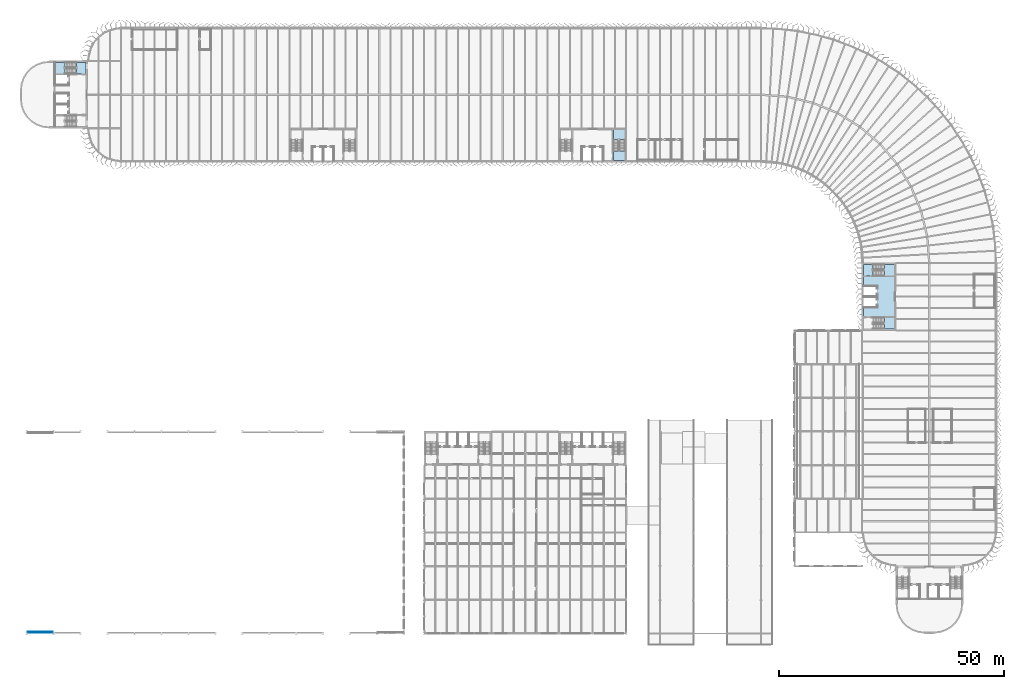
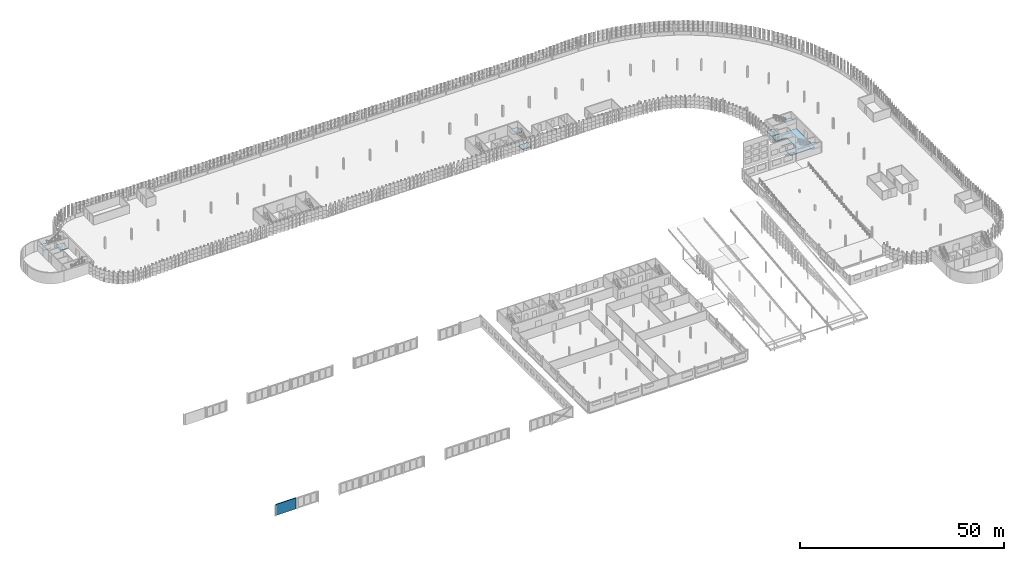
# One storey, part 49 of 199: 8 slabs, 1 wall, 4 elements without a shape of their own.
"""IFC4 building model written with IfcOpenShell, lengths in metres."""

import ifcopenshell
import ifcopenshell.guid

model = None  # the IFC model being written
_history = None  # IfcOwnerHistory: only IFC2X3 demands one
_inside = {}  # id of a spatial element -> (the spatial element, [elements in it])
_under = {}  # id of a project, library or spatial element -> (it, [spatial elements below it])
_declared = {}  # id of a project -> (the project, [libraries it declares])
_typed = {}  # id of a type object -> (the type object, [elements of that type])
_made_of = {}  # id of a material, layer set ... -> (it, [elements and type objects made of it])


def new_model(schema):
    """Start an empty IFC model of exactly this schema.

    Asked for "IFC4X3", IfcOpenShell would pick the latest addendum, in which some entities
    have other attributes; the version numbers below select the first issue.
    IFC2X3 requires an IfcOwnerHistory on every rooted entity: one is made here for all.
    """
    global model, _history
    if schema == "IFC4X3":
        model = ifcopenshell.file(schema_version=(4, 3, 0, 0))
    else:
        model = ifcopenshell.file(schema=schema)
    _inside.clear()
    _under.clear()
    _declared.clear()
    _typed.clear()
    _made_of.clear()
    _history = None
    if model.schema == "IFC2X3":
        org = make("IfcOrganization", Name="unknown")
        user = make(
            "IfcPersonAndOrganization",
            ThePerson=make("IfcPerson", FamilyName="unknown"),
            TheOrganization=org,
        )
        app = make(
            "IfcApplication",
            ApplicationDeveloper=org,
            Version="unknown",
            ApplicationFullName="unknown",
            ApplicationIdentifier="unknown",
        )
        _history = make(
            "IfcOwnerHistory",
            OwningUser=user,
            OwningApplication=app,
            ChangeAction="ADDED",
            CreationDate=0,
        )
    return model


def make(cls, **values):
    """One entity of the class cls with the attributes given. An attribute that is None is left unset."""
    return model.create_entity(
        cls, **{name: value for name, value in values.items() if value is not None}
    )


def rooted(cls, **values):
    """An entity with a GlobalId (a new one), such as an element, a storey or a relation."""
    return make(cls, GlobalId=ifcopenshell.guid.new(), OwnerHistory=_history, **values)


def si_unit(unit_type, name, prefix=None):
    """IfcSIUnit, for example si_unit("LENGTHUNIT", "METRE", prefix="MILLI")."""
    return make("IfcSIUnit", UnitType=unit_type, Prefix=prefix, Name=name)


def assignment(units):
    """IfcUnitAssignment: the units of a project."""
    return None if units is None else make("IfcUnitAssignment", Units=units)


def point(xyz):
    """IfcCartesianPoint."""
    return None if xyz is None else make("IfcCartesianPoint", Coordinates=xyz)


def direction(xyz):
    """IfcDirection."""
    return None if xyz is None else make("IfcDirection", DirectionRatios=xyz)


def frame(location, z_axis=None, x_axis=None):
    """IfcAxis2Placement3D, a coordinate frame: its origin and axes. An axis left out is left unset."""
    return make(
        "IfcAxis2Placement3D",
        Location=point(location),
        Axis=direction(z_axis),
        RefDirection=direction(x_axis),
    )


def frame_2d(location, x_axis=None):
    """IfcAxis2Placement2D, a coordinate frame in the plane: its origin and x axis."""
    return make(
        "IfcAxis2Placement2D", Location=point(location), RefDirection=direction(x_axis)
    )


def origin():
    """The frame at (0, 0, 0) with its axes left unset."""
    return frame((0.0, 0.0, 0.0))


def place(relative_to, where):
    """IfcLocalPlacement: puts the frame where relative to a parent placement (None: the world)."""
    return make(
        "IfcLocalPlacement", PlacementRelTo=relative_to, RelativePlacement=where
    )


def context(
    kind, dimensions, precision=None, world=None, true_north=None, identifier=None
):
    """IfcGeometricRepresentationContext, for example the 3D "Model" context."""
    return make(
        "IfcGeometricRepresentationContext",
        ContextIdentifier=identifier,
        ContextType=kind,
        CoordinateSpaceDimension=dimensions,
        Precision=precision,
        WorldCoordinateSystem=world,
        TrueNorth=true_north,
    )


def subcontext(parent, identifier, kind, view, scale=None):
    """IfcGeometricRepresentationSubContext, for example "Body" below "Model"."""
    return make(
        "IfcGeometricRepresentationSubContext",
        ContextIdentifier=identifier,
        ContextType=kind,
        ParentContext=parent,
        TargetScale=scale,
        TargetView=view,
    )


def project(units=None, contexts=None):
    """IfcProject with its units and contexts."""
    return rooted(
        "IfcProject",
        Name="project",
        RepresentationContexts=contexts,
        UnitsInContext=assignment(units),
    )


def spatial(cls, under=None, at=None, **own):
    """A site, building, storey or space (cls), placed at a placement, below another one or the project."""
    s = rooted(cls, ObjectPlacement=at, **own)
    if under is not None:
        _under.setdefault(under.id(), (under, []))[1].append(s)
    return s


def polyline(points):
    """IfcPolyline through the points."""
    return make("IfcPolyline", Points=[point(p) for p in points])


def profile(cls, at=None, kind="AREA", **sizes):
    """A parametric profile (cls). Its sizes go by their IFC names, for example OverallWidth=200.0."""
    return make(cls, ProfileType=kind, Position=at, **sizes)


def rectangle(**sizes):
    """IfcRectangleProfileDef."""
    return profile("IfcRectangleProfileDef", **sizes)


def outline(outer, holes=None, kind="AREA"):
    """IfcArbitraryClosedProfileDef: a profile drawn as a closed curve; with holes, ...WithVoids."""
    if holes is None:
        return make("IfcArbitraryClosedProfileDef", ProfileType=kind, OuterCurve=outer)
    return make(
        "IfcArbitraryProfileDefWithVoids",
        ProfileType=kind,
        OuterCurve=outer,
        InnerCurves=holes,
    )


def extrude(swept, where, along, depth):
    """IfcExtrudedAreaSolid: the profile swept, set in the frame where, extruded along a direction by depth."""
    return make(
        "IfcExtrudedAreaSolid",
        SweptArea=swept,
        Position=where,
        ExtrudedDirection=direction(along),
        Depth=depth,
    )


def shape(context_of_items, identifier, shape_type, items):
    """IfcShapeRepresentation: the items that make up one representation, for example the "Body"."""
    return make(
        "IfcShapeRepresentation",
        ContextOfItems=context_of_items,
        RepresentationIdentifier=identifier,
        RepresentationType=shape_type,
        Items=items,
    )


def material(Name=None, Category=None):
    """IfcMaterial."""
    return make("IfcMaterial", Name=Name, Category=Category)


def layer(
    of_material, thickness, ventilated=None, Name=None, Category=None, Priority=None
):
    """IfcMaterialLayer: one layer of a wall or slab, of a material (None: an air gap)."""
    return make(
        "IfcMaterialLayer",
        Material=of_material,
        LayerThickness=thickness,
        IsVentilated=ventilated,
        Name=Name,
        Category=Category,
        Priority=Priority,
    )


def layer_set(layers, Name=None):
    """IfcMaterialLayerSet."""
    return make("IfcMaterialLayerSet", MaterialLayers=layers, LayerSetName=Name)


def made_of(thing, what):
    """Note that an element or type object is made of a material, layer set ...; save() writes the relation."""
    if what is not None:
        _made_of.setdefault(what.id(), (what, []))[1].append(thing)
    return thing


def type_object(cls, material=None, **own):
    """A type object (cls), such as IfcWallType, which elements share."""
    return made_of(rooted(cls, **own), material)


def element(
    cls,
    number,
    at=None,
    inside=None,
    cuts=None,
    type_object=None,
    material=None,
    context=None,
    identifier="Body",
    shape_type=None,
    held_by="IfcProductDefinitionShape",
    body=None,
    shapes=None,
    **own,
):
    """One element of the class cls, such as IfcWall. Its Tag is "e" and its number.

    at: its placement. inside: the storey or other place that contains it. cuts: it is an
    opening in that element (IfcRelVoidsElement). A single representation is given by context,
    identifier, shape_type and body (its items); several are given by shapes. held_by: the class
    of the entity that holds the representations. save() writes the other relations.
    """
    e = rooted(cls, Tag="e%d" % number, ObjectPlacement=at, **own)
    if body is not None:
        shapes = [shape(context, identifier, shape_type, body)]
    if shapes is not None:
        e.Representation = make(held_by, Representations=shapes)
    if inside is not None:
        _inside.setdefault(inside.id(), (inside, []))[1].append(e)
    if cuts is not None:
        rooted(
            "IfcRelVoidsElement", RelatingBuildingElement=cuts, RelatedOpeningElement=e
        )
    if type_object is not None:
        _typed.setdefault(type_object.id(), (type_object, []))[1].append(e)
    return made_of(e, material)


def aggregate(whole, parts):
    """IfcRelAggregates: a whole, such as a stair, and the parts it consists of."""
    return rooted("IfcRelAggregates", RelatingObject=whole, RelatedObjects=parts)


def save(model, path):
    """Write the relations noted so far, then the file.

    IfcRelAggregates (storeys below a building ...), IfcRelContainedInSpatialStructure (elements
    in a storey), IfcRelDefinesByType, IfcRelAssociatesMaterial and IfcRelDeclares: one each for
    every whole, place, type object, material and project.
    """
    for whole, parts in _under.values():
        aggregate(whole, parts)
    for where, things in _inside.values():
        rooted(
            "IfcRelContainedInSpatialStructure",
            RelatedElements=things,
            RelatingStructure=where,
        )
    for kind, things in _typed.values():
        rooted("IfcRelDefinesByType", RelatedObjects=things, RelatingType=kind)
    for what, things in _made_of.values():
        rooted("IfcRelAssociatesMaterial", RelatedObjects=things, RelatingMaterial=what)
    for by, libraries in _declared.values():
        rooted("IfcRelDeclares", RelatingContext=by, RelatedDefinitions=libraries)
    model.write(path)


model = new_model("IFC4")

# Units and contexts
model_context = context("Model", 3, precision=1e-05, world=origin(), true_north=direction((0.0, 1.0)))
body_context = subcontext(model_context, "Body", "Model", "MODEL_VIEW")
ifc_project = project(units=[si_unit("LENGTHUNIT", "METRE"), si_unit("AREAUNIT", "SQUARE_METRE"), si_unit("VOLUMEUNIT", "CUBIC_METRE"), si_unit("PLANEANGLEUNIT", "RADIAN"), si_unit("MASSUNIT", "GRAM", prefix="KILO")], contexts=[model_context])

# Site, building, storey
site_placement = place(None, origin())
site = spatial("IfcSite", under=ifc_project, at=site_placement, CompositionType="ELEMENT")
building_placement = place(site_placement, origin())
building = spatial("IfcBuilding", under=site, at=building_placement, Name="Parallax Yard Mobility Hub", CompositionType="ELEMENT")
storey_placement = place(building_placement, frame((0.0, 0.0, 9.89990234375)))
storey = spatial("IfcBuildingStorey", under=building, at=storey_placement, Name="L03", CompositionType="ELEMENT", Elevation=9.89990234375)

# Slab
ifc_material = material(Name="Concrete fc' 35 MPa", Category="concrete")
ifc_layer_1 = layer(ifc_material, 0.199951171875)
ifc_layer_set_1 = layer_set([ifc_layer_1], Name="Core floor slab 200")
slab_type_1 = type_object("IfcSlabType", Name="Core floor slab 200", PredefinedType="FLOOR", material=ifc_layer_set_1)
slab_1_placement = place(storey_placement, frame((0.0, 0.0, -0.199951171875)))
element("IfcSlab", 1, at=slab_1_placement, inside=storey, type_object=slab_type_1, Name="Core C-E floor slab level L03", PredefinedType="FLOOR", context=body_context, shape_type="SweptSolid", body=[
    extrude(outline(polyline([(202.199951171875, 77.85009765625), (195.300048828125, 77.85009765625), (195.300048828125, 80.199951171875), (198.300048828125, 80.199951171875), (198.300048828125, 82.39990234375), (195.300048828125, 82.39990234375), (195.300048828125, 82.60009765625), (198.300048828125, 82.60009765625), (198.300048828125, 84.800048828125), (195.300048828125, 84.800048828125), (195.300048828125, 87.14990234375), (202.199951171875, 87.14990234375), (202.199951171875, 77.85009765625)])), origin(), (0.0, 0.0, 1.0), 0.199951171875),
])

# Stair, slab
stair_type = type_object("IfcStairType", Name="Exit stair 1200 dog-leg", PredefinedType="HALF_TURN_STAIR", material=ifc_material)
stair_1_placement = place(storey_placement, origin())
stair_1 = element("IfcStair", 2, at=stair_1_placement, inside=storey, type_object=stair_type, Name="L03 Exit stair 2 of core C-W", PredefinedType="HALF_TURN_STAIR")
ifc_layer_2 = layer(ifc_material, 0.199951171875)
ifc_layer_set_2 = layer_set([ifc_layer_2], Name="Exit stair landing 200")
slab_type_2 = type_object("IfcSlabType", Name="Exit stair landing 200", PredefinedType="LANDING", material=ifc_layer_set_2)
slab_2_placement = place(storey_placement, frame((0.0, 0.0, 1.4501953125)))
slab_2 = element("IfcSlab", 3, at=slab_2_placement, type_object=slab_type_2, Name="ST2 landing 1", PredefinedType="LANDING", context=body_context, shape_type="SweptSolid", body=[
    extrude(outline(polyline([(17.534912109375, 134.699951171875), (15.300048828125, 134.699951171875), (15.300048828125, 132.14990234375), (17.534912109375, 132.14990234375), (17.534912109375, 134.699951171875)])), origin(), (0.0, 0.0, 1.0), 0.199951171875),
])
aggregate(stair_1, [slab_2])

stair_2_placement = place(storey_placement, origin())
stair_2 = element("IfcStair", 4, at=stair_2_placement, inside=storey, type_object=stair_type, Name="L03 Exit stair 1 of core C-N2", PredefinedType="HALF_TURN_STAIR")
slab_3_placement = place(storey_placement, frame((0.0, 0.0, 1.4501953125)))
slab_3 = element("IfcSlab", 5, at=slab_3_placement, type_object=slab_type_2, Name="ST5 landing 1", PredefinedType="LANDING", context=body_context, shape_type="SweptSolid", body=[
    extrude(outline(polyline([(142.199951171875, 117.465087890625), (142.199951171875, 119.699951171875), (139.64990234375, 119.699951171875), (139.64990234375, 117.465087890625), (142.199951171875, 117.465087890625)])), origin(), (0.0, 0.0, 1.0), 0.199951171875),
])
aggregate(stair_2, [slab_3])

stair_3_placement = place(storey_placement, origin())
stair_3 = element("IfcStair", 6, at=stair_3_placement, inside=storey, type_object=stair_type, Name="L03 Exit stair 1 of core C-E", PredefinedType="HALF_TURN_STAIR")
slab_4_placement = place(storey_placement, frame((0.0, 0.0, 1.4501953125)))
slab_4 = element("IfcSlab", 7, at=slab_4_placement, type_object=slab_type_2, Name="ST7 landing 1", PredefinedType="LANDING", context=body_context, shape_type="SweptSolid", body=[
    extrude(outline(polyline([(199.965087890625, 75.300048828125), (202.199951171875, 75.300048828125), (202.199951171875, 77.85009765625), (199.965087890625, 77.85009765625), (199.965087890625, 75.300048828125)])), origin(), (0.0, 0.0, 1.0), 0.199951171875),
])
aggregate(stair_3, [slab_4])

stair_4_placement = place(storey_placement, origin())
stair_4 = element("IfcStair", 8, at=stair_4_placement, inside=storey, type_object=stair_type, Name="L03 Exit stair 2 of core C-E", PredefinedType="HALF_TURN_STAIR")
slab_5_placement = place(storey_placement, frame((0.0, 0.0, 1.4501953125)))
slab_5 = element("IfcSlab", 9, at=slab_5_placement, type_object=slab_type_2, Name="ST8 landing 1", PredefinedType="LANDING", context=body_context, shape_type="SweptSolid", body=[
    extrude(outline(polyline([(199.965087890625, 87.14990234375), (202.199951171875, 87.14990234375), (202.199951171875, 89.699951171875), (199.965087890625, 89.699951171875), (199.965087890625, 87.14990234375)])), origin(), (0.0, 0.0, 1.0), 0.199951171875),
])
aggregate(stair_4, [slab_5])

# Slabs
ifc_layer_3 = layer(ifc_material, 0.199951171875)
ifc_layer_set_3 = layer_set([ifc_layer_3], Name="Stair floor landing slab 200")
slab_type_3 = type_object("IfcSlabType", Name="Stair floor landing slab 200", PredefinedType="FLOOR", material=ifc_layer_set_3)
slab_6_placement = place(storey_placement, frame((0.0, 0.0, -0.199951171875)))
element("IfcSlab", 10, at=slab_6_placement, inside=storey, type_object=slab_type_3, Name="Core C-W exit stair 2 floor landing level L03", PredefinedType="FLOOR", context=body_context, shape_type="SweptSolid", body=[
    extrude(outline(polyline([(20.10009765625, 132.14990234375), (20.10009765625, 134.699951171875), (22.199951171875, 134.699951171875), (22.199951171875, 132.14990234375), (20.10009765625, 132.14990234375)])), origin(), (0.0, 0.0, 1.0), 0.199951171875),
])
slab_7_placement = place(storey_placement, frame((0.0, 0.0, -0.199951171875)))
element("IfcSlab", 11, at=slab_7_placement, inside=storey, type_object=slab_type_3, Name="Core C-N2 exit stair 1 floor landing level L03", PredefinedType="FLOOR", context=body_context, shape_type="SweptSolid", body=[
    extrude(outline(polyline([(139.64990234375, 114.89990234375), (139.64990234375, 112.800048828125), (142.199951171875, 112.800048828125), (142.199951171875, 114.89990234375), (139.64990234375, 114.89990234375)])), origin(), (0.0, 0.0, 1.0), 0.199951171875),
])
slab_8_placement = place(storey_placement, frame((0.0, 0.0, -0.199951171875)))
element("IfcSlab", 12, at=slab_8_placement, inside=storey, type_object=slab_type_3, Name="Core C-E exit stair 2 floor landing level L03", PredefinedType="FLOOR", context=body_context, shape_type="SweptSolid", body=[
    extrude(outline(polyline([(197.39990234375, 89.699951171875), (195.300048828125, 89.699951171875), (195.300048828125, 87.14990234375), (197.39990234375, 87.14990234375), (197.39990234375, 89.699951171875)])), origin(), (0.0, 0.0, 1.0), 0.199951171875),
])

# Wall
ifc_layer_4 = layer(ifc_material, 0.219970703125)
ifc_layer_set_4 = layer_set([ifc_layer_4], Name="Gable panel, Concrete fc' 35 MPa precast, 220")
wall_type = type_object("IfcWallType", Name="Gable panel, Concrete fc' 35 MPa precast, 220", PredefinedType="SOLIDWALL", material=ifc_layer_set_4)
wall_placement = place(storey_placement, frame((9.1865234375, 7.74951171875, 0.0), z_axis=(0.0, 0.0, 1.0), x_axis=(1.0, 0.0, 0.0)))
element("IfcWall", 13, at=wall_placement, inside=storey, type_object=wall_type, Name="Bus and taxi deck south gable wall bay 1 level L03", PredefinedType="SOLIDWALL", context=body_context, shape_type="SweptSolid", body=[
    extrude(rectangle(XDim=5.626953125, YDim=0.219970703125, at=frame_2d((2.8134765625, 0.0))), origin(), (0.0, 0.0, 1.0), 3.300048828125),
])

save(model, "model.ifc")
